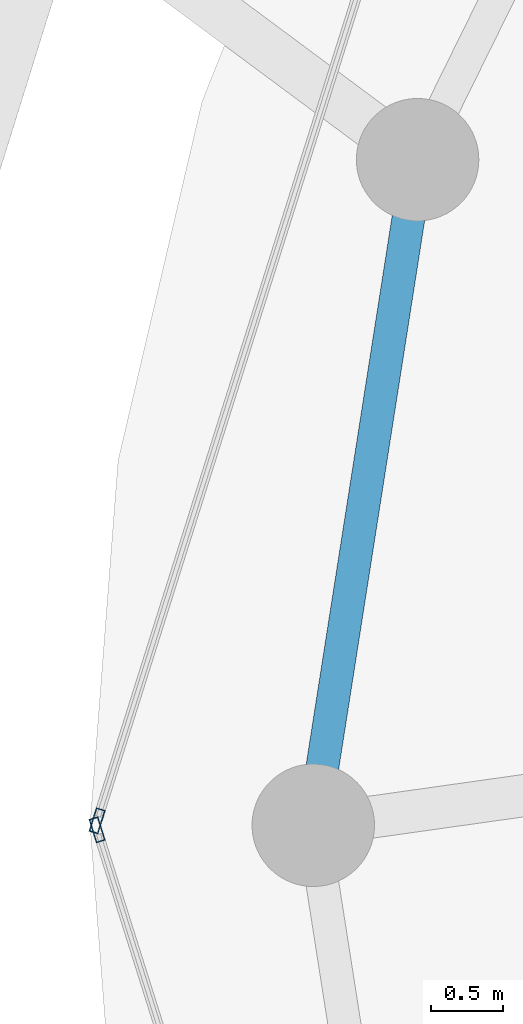
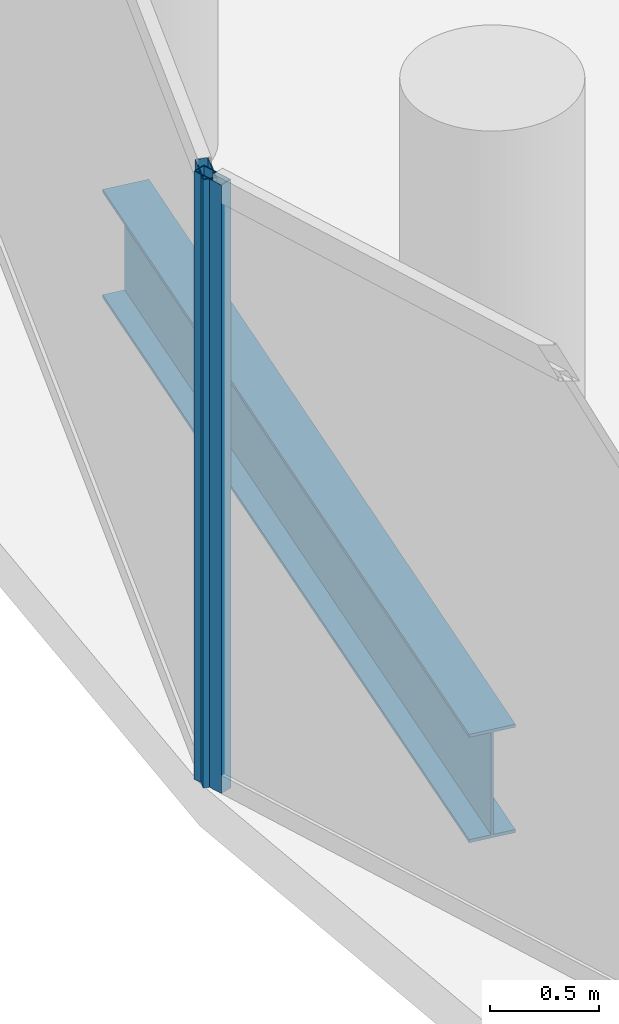
# One storey, part 7 of 27: 2 members, 1 beam, 2 elements without a shape of their own.
"""IFC4 building model written with IfcOpenShell, lengths in metres."""

from ifc_helpers import new_model, si_unit, direction, frame, origin, origin_2d, place, context, subcontext, project, spatial, hollow_rectangle, i_section, extrude, material, layer, layer_set, material_profile, profile_set, type_object, element, aggregate, save


model = new_model("IFC4")

# Units and contexts
model_context = context("Model", 3, precision=1e-05, world=origin(), true_north=direction((0.0, 1.0)))
body_context = subcontext(model_context, "Body", "Model", "MODEL_VIEW")
ifc_project = project(units=[si_unit("LENGTHUNIT", "METRE"), si_unit("AREAUNIT", "SQUARE_METRE"), si_unit("VOLUMEUNIT", "CUBIC_METRE"), si_unit("PLANEANGLEUNIT", "RADIAN"), si_unit("MASSUNIT", "GRAM", prefix="KILO")], contexts=[model_context])

# Site, building, storey
site_placement = place(None, origin())
site = spatial("IfcSite", under=ifc_project, at=site_placement, CompositionType="ELEMENT")
building_placement = place(site_placement, origin())
building = spatial("IfcBuilding", under=site, at=building_placement, Name="Nuhasar Tower", CompositionType="ELEMENT")
storey_placement = place(building_placement, frame((0.0, 0.0, 237.35009765625)))
storey = spatial("IfcBuildingStorey", under=building, at=storey_placement, Name="L58", CompositionType="ELEMENT", Elevation=237.35009765625)

# Beam
ifc_material_1 = material(Name="Steel S355", Category="steel")
ifc_material_profile_1 = material_profile(ifc_material_1, i_section(OverallWidth=0.22802734375, OverallDepth=0.60791015625, WebThickness=0.01123046875, FlangeThickness=0.017333984375, at=origin_2d()), Name="W24X76")
ifc_profile_set_1 = profile_set([ifc_material_profile_1], Name="Steel S355")
beam_type = type_object("IfcBeamType", Name="BM-RING-W24X76", PredefinedType="SPANDREL", material=ifc_profile_set_1)
beam_placement = place(storey_placement, frame((18.47412109375, 31.419921875, -0.544189453125), z_axis=(-0.154849872935, -0.987938012657, 0.0), x_axis=(0.987938012657, -0.154849872935, 0.0)))
element("IfcBeam", 1, at=beam_placement, inside=storey, type_object=beam_type, Name="L58 Perimeter Ring Spandrel 12", PredefinedType="SPANDREL", context=body_context, shape_type="SweptSolid", body=[
    extrude(i_section(OverallWidth=0.22802734375, OverallDepth=0.60791015625, WebThickness=0.01123046875, FlangeThickness=0.017333984375, at=origin_2d()), origin(), (0.0, 0.0, 1.0), 4.67626953125),
])

# Curtain wall, member
ifc_material_2 = material(Name="Aluminium 6063-T6", Category="aluminium")
ifc_layer = layer(ifc_material_2, 0.18994140625)
ifc_layer_set = layer_set([ifc_layer], Name="Aluminium 6063-T6")
curtain_wall_type = type_object("IfcCurtainWallType", Name="CW-Z3-RES", PredefinedType="NOTDEFINED", material=ifc_layer_set)
curtain_wall_1_placement = place(storey_placement, origin())
curtain_wall_1 = element("IfcCurtainWall", 2, at=curtain_wall_1_placement, inside=storey, type_object=curtain_wall_type, Name="L58 Unitised Curtain Wall 06", PredefinedType="NOTDEFINED")
ifc_material_profile_2 = material_profile(ifc_material_2, hollow_rectangle(XDim=0.06494140625, YDim=0.169921875, WallThickness=0.0048828125, at=origin_2d()), Name="CWM-4")
ifc_profile_set_2 = profile_set([ifc_material_profile_2], Name="Aluminium 6063-T6")
member_type = type_object("IfcMemberType", Name="CW-MUL-S4", PredefinedType="MULLION", material=ifc_profile_set_2)
member_1_placement = place(storey_placement, frame((16.249755859375, 26.8310546875, 0.0), z_axis=(0.0, 0.0, 1.0), x_axis=(0.95380429279, -0.30042864553, 0.0)))
member_1 = element("IfcMember", 3, at=member_1_placement, type_object=member_type, Name="CW-Z3 mullion 2", PredefinedType="MULLION", context=body_context, shape_type="SweptSolid", body=[
    extrude(hollow_rectangle(XDim=0.06494140625, YDim=0.169921875, WallThickness=0.0048828125, at=origin_2d()), origin(), (0.0, 0.0, 1.0), 3.409912109375),
])
aggregate(curtain_wall_1, [member_1])

curtain_wall_2_placement = place(storey_placement, origin())
curtain_wall_2 = element("IfcCurtainWall", 4, at=curtain_wall_2_placement, inside=storey, type_object=curtain_wall_type, Name="L58 Unitised Curtain Wall 07", PredefinedType="NOTDEFINED")
member_2_placement = place(storey_placement, frame((16.249755859375, 26.76904296875, 0.0), z_axis=(0.0, 0.0, 1.0), x_axis=(0.95380429279, 0.30042864553, 0.0)))
member_2 = element("IfcMember", 5, at=member_2_placement, type_object=member_type, Name="CW-Z3 mullion 1", PredefinedType="MULLION", context=body_context, shape_type="SweptSolid", body=[
    extrude(hollow_rectangle(XDim=0.06494140625, YDim=0.169921875, WallThickness=0.0048828125, at=origin_2d()), origin(), (0.0, 0.0, 1.0), 3.409912109375),
])
aggregate(curtain_wall_2, [member_2])

save(model, "model.ifc")
